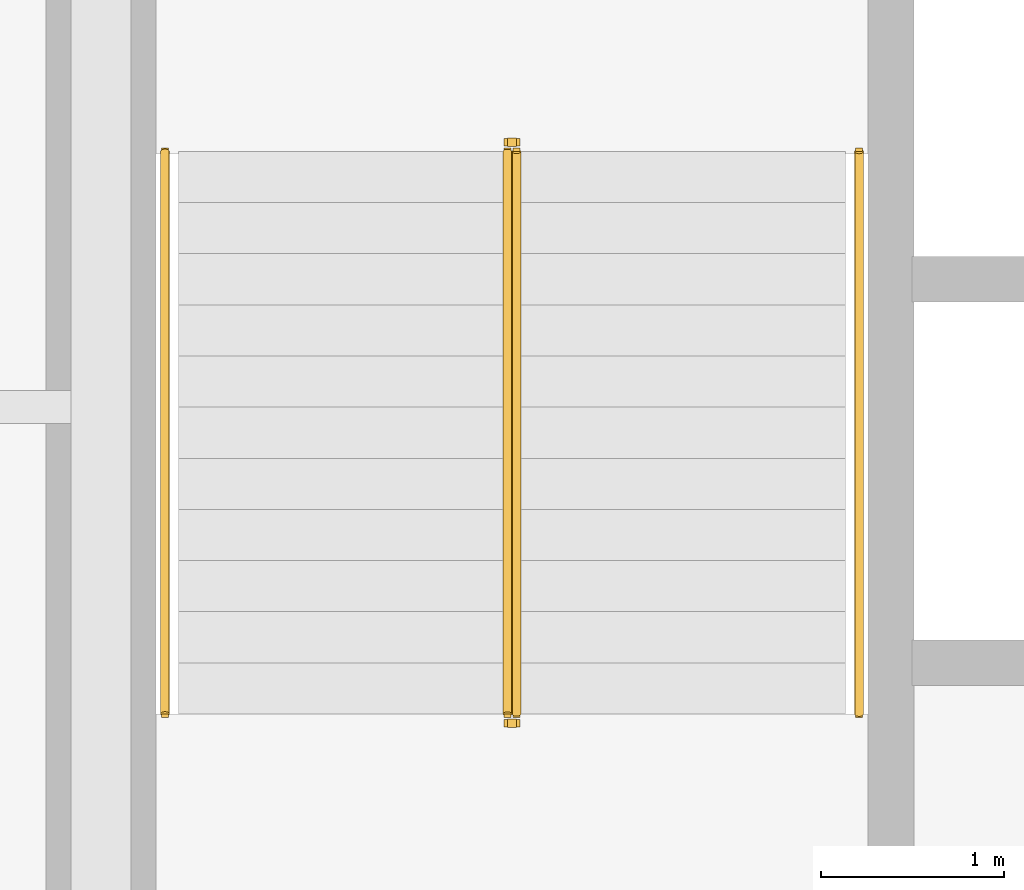
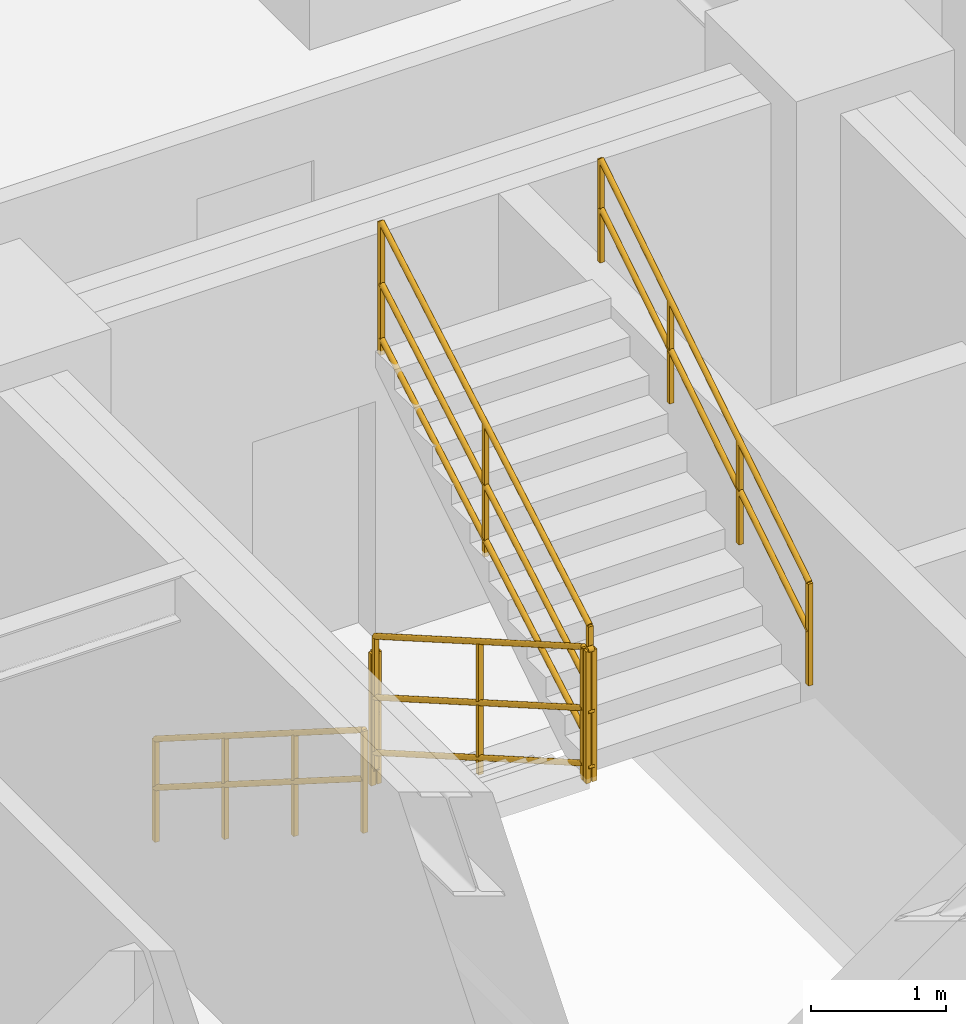
# One storey, part 9 of 9: 6 railings.
"""IFC4 building model written with IfcOpenShell, lengths in metres."""

import ifcopenshell
import ifcopenshell.guid

model = None  # the IFC model being written
_history = None  # IfcOwnerHistory: only IFC2X3 demands one
_inside = {}  # id of a spatial element -> (the spatial element, [elements in it])
_under = {}  # id of a project, library or spatial element -> (it, [spatial elements below it])
_declared = {}  # id of a project -> (the project, [libraries it declares])
_typed = {}  # id of a type object -> (the type object, [elements of that type])
_made_of = {}  # id of a material, layer set ... -> (it, [elements and type objects made of it])


def new_model(schema):
    """Start an empty IFC model of exactly this schema.

    Asked for "IFC4X3", IfcOpenShell would pick the latest addendum, in which some entities
    have other attributes; the version numbers below select the first issue.
    IFC2X3 requires an IfcOwnerHistory on every rooted entity: one is made here for all.
    """
    global model, _history
    if schema == "IFC4X3":
        model = ifcopenshell.file(schema_version=(4, 3, 0, 0))
    else:
        model = ifcopenshell.file(schema=schema)
    _inside.clear()
    _under.clear()
    _declared.clear()
    _typed.clear()
    _made_of.clear()
    _history = None
    if model.schema == "IFC2X3":
        org = make("IfcOrganization", Name="unknown")
        user = make(
            "IfcPersonAndOrganization",
            ThePerson=make("IfcPerson", FamilyName="unknown"),
            TheOrganization=org,
        )
        app = make(
            "IfcApplication",
            ApplicationDeveloper=org,
            Version="unknown",
            ApplicationFullName="unknown",
            ApplicationIdentifier="unknown",
        )
        _history = make(
            "IfcOwnerHistory",
            OwningUser=user,
            OwningApplication=app,
            ChangeAction="ADDED",
            CreationDate=0,
        )
    return model


def make(cls, **values):
    """One entity of the class cls with the attributes given. An attribute that is None is left unset."""
    return model.create_entity(
        cls, **{name: value for name, value in values.items() if value is not None}
    )


def entity(cls, *values):
    """Any entity or typed value of the class cls, its attributes in the order of the schema. None: left unset."""
    e = model.create_entity(cls)
    for i, value in enumerate(values):
        if value is not None:
            e[i] = value
    return e


def rooted(cls, **values):
    """An entity with a GlobalId (a new one), such as an element, a storey or a relation."""
    return make(cls, GlobalId=ifcopenshell.guid.new(), OwnerHistory=_history, **values)


def si_unit(unit_type, name, prefix=None):
    """IfcSIUnit, for example si_unit("LENGTHUNIT", "METRE", prefix="MILLI")."""
    return make("IfcSIUnit", UnitType=unit_type, Prefix=prefix, Name=name)


def converted_unit(unit_type, name, factor, base, dimensions=None, offset=None):
    """IfcConversionBasedUnit, such as the inch: factor (a typed value) times the base unit."""
    return make(
        "IfcConversionBasedUnit"
        if offset is None
        else "IfcConversionBasedUnitWithOffset",
        ConversionOffset=offset,
        Dimensions=None
        if dimensions is None
        else entity("IfcDimensionalExponents", *dimensions),
        UnitType=unit_type,
        Name=name,
        ConversionFactor=make(
            "IfcMeasureWithUnit", ValueComponent=factor, UnitComponent=base
        ),
    )


def assignment(units):
    """IfcUnitAssignment: the units of a project."""
    return None if units is None else make("IfcUnitAssignment", Units=units)


def point(xyz):
    """IfcCartesianPoint."""
    return None if xyz is None else make("IfcCartesianPoint", Coordinates=xyz)


def direction(xyz):
    """IfcDirection."""
    return None if xyz is None else make("IfcDirection", DirectionRatios=xyz)


def frame(location, z_axis=None, x_axis=None):
    """IfcAxis2Placement3D, a coordinate frame: its origin and axes. An axis left out is left unset."""
    return make(
        "IfcAxis2Placement3D",
        Location=point(location),
        Axis=direction(z_axis),
        RefDirection=direction(x_axis),
    )


def frame_2d(location, x_axis=None):
    """IfcAxis2Placement2D, a coordinate frame in the plane: its origin and x axis."""
    return make(
        "IfcAxis2Placement2D", Location=point(location), RefDirection=direction(x_axis)
    )


def origin_with_axes():
    """The frame at (0, 0, 0) with the z axis (0, 0, 1) and the x axis (1, 0, 0) written out."""
    return frame((0.0, 0.0, 0.0), z_axis=(0.0, 0.0, 1.0), x_axis=(1.0, 0.0, 0.0))


def origin_2d_with_axis():
    """The frame at (0, 0) in the plane with the x axis (1, 0) written out."""
    return frame_2d((0.0, 0.0), x_axis=(1.0, 0.0))


def place(relative_to, where):
    """IfcLocalPlacement: puts the frame where relative to a parent placement (None: the world)."""
    return make(
        "IfcLocalPlacement", PlacementRelTo=relative_to, RelativePlacement=where
    )


def context(
    kind, dimensions, precision=None, world=None, true_north=None, identifier=None
):
    """IfcGeometricRepresentationContext, for example the 3D "Model" context."""
    return make(
        "IfcGeometricRepresentationContext",
        ContextIdentifier=identifier,
        ContextType=kind,
        CoordinateSpaceDimension=dimensions,
        Precision=precision,
        WorldCoordinateSystem=world,
        TrueNorth=true_north,
    )


def subcontext(parent, identifier, kind, view, scale=None):
    """IfcGeometricRepresentationSubContext, for example "Body" below "Model"."""
    return make(
        "IfcGeometricRepresentationSubContext",
        ContextIdentifier=identifier,
        ContextType=kind,
        ParentContext=parent,
        TargetScale=scale,
        TargetView=view,
    )


def project(units=None, contexts=None):
    """IfcProject with its units and contexts."""
    return rooted(
        "IfcProject",
        Name="project",
        RepresentationContexts=contexts,
        UnitsInContext=assignment(units),
    )


def spatial(cls, under=None, at=None, **own):
    """A site, building, storey or space (cls), placed at a placement, below another one or the project."""
    s = rooted(cls, ObjectPlacement=at, **own)
    if under is not None:
        _under.setdefault(under.id(), (under, []))[1].append(s)
    return s


def profile(cls, at=None, kind="AREA", **sizes):
    """A parametric profile (cls). Its sizes go by their IFC names, for example OverallWidth=200.0."""
    return make(cls, ProfileType=kind, Position=at, **sizes)


def rectangle(**sizes):
    """IfcRectangleProfileDef."""
    return profile("IfcRectangleProfileDef", **sizes)


def circle(**sizes):
    """IfcCircleProfileDef."""
    return profile("IfcCircleProfileDef", **sizes)


def extrude(swept, where, along, depth):
    """IfcExtrudedAreaSolid: the profile swept, set in the frame where, extruded along a direction by depth."""
    return make(
        "IfcExtrudedAreaSolid",
        SweptArea=swept,
        Position=where,
        ExtrudedDirection=direction(along),
        Depth=depth,
    )


def shape(context_of_items, identifier, shape_type, items):
    """IfcShapeRepresentation: the items that make up one representation, for example the "Body"."""
    return make(
        "IfcShapeRepresentation",
        ContextOfItems=context_of_items,
        RepresentationIdentifier=identifier,
        RepresentationType=shape_type,
        Items=items,
    )


def material(Name=None, Category=None):
    """IfcMaterial."""
    return make("IfcMaterial", Name=Name, Category=Category)


def made_of(thing, what):
    """Note that an element or type object is made of a material, layer set ...; save() writes the relation."""
    if what is not None:
        _made_of.setdefault(what.id(), (what, []))[1].append(thing)
    return thing


def type_object(cls, material=None, **own):
    """A type object (cls), such as IfcWallType, which elements share."""
    return made_of(rooted(cls, **own), material)


def element(
    cls,
    number,
    at=None,
    inside=None,
    cuts=None,
    type_object=None,
    material=None,
    context=None,
    identifier="Body",
    shape_type=None,
    held_by="IfcProductDefinitionShape",
    body=None,
    shapes=None,
    **own,
):
    """One element of the class cls, such as IfcWall. Its Tag is "e" and its number.

    at: its placement. inside: the storey or other place that contains it. cuts: it is an
    opening in that element (IfcRelVoidsElement). A single representation is given by context,
    identifier, shape_type and body (its items); several are given by shapes. held_by: the class
    of the entity that holds the representations. save() writes the other relations.
    """
    e = rooted(cls, Tag="e%d" % number, ObjectPlacement=at, **own)
    if body is not None:
        shapes = [shape(context, identifier, shape_type, body)]
    if shapes is not None:
        e.Representation = make(held_by, Representations=shapes)
    if inside is not None:
        _inside.setdefault(inside.id(), (inside, []))[1].append(e)
    if cuts is not None:
        rooted(
            "IfcRelVoidsElement", RelatingBuildingElement=cuts, RelatedOpeningElement=e
        )
    if type_object is not None:
        _typed.setdefault(type_object.id(), (type_object, []))[1].append(e)
    return made_of(e, material)


def aggregate(whole, parts):
    """IfcRelAggregates: a whole, such as a stair, and the parts it consists of."""
    return rooted("IfcRelAggregates", RelatingObject=whole, RelatedObjects=parts)


def save(model, path):
    """Write the relations noted so far, then the file.

    IfcRelAggregates (storeys below a building ...), IfcRelContainedInSpatialStructure (elements
    in a storey), IfcRelDefinesByType, IfcRelAssociatesMaterial and IfcRelDeclares: one each for
    every whole, place, type object, material and project.
    """
    for whole, parts in _under.values():
        aggregate(whole, parts)
    for where, things in _inside.values():
        rooted(
            "IfcRelContainedInSpatialStructure",
            RelatedElements=things,
            RelatingStructure=where,
        )
    for kind, things in _typed.values():
        rooted("IfcRelDefinesByType", RelatedObjects=things, RelatingType=kind)
    for what, things in _made_of.values():
        rooted("IfcRelAssociatesMaterial", RelatedObjects=things, RelatingMaterial=what)
    for by, libraries in _declared.values():
        rooted("IfcRelDeclares", RelatingContext=by, RelatedDefinitions=libraries)
    model.write(path)


model = new_model("IFC4")

# Units and contexts
model_context = context("Model", 3, precision=1e-05, world=origin_with_axes(), true_north=direction((0.0, 1.0)))
body_context = subcontext(model_context, "Body", "Model", "MODEL_VIEW")
ifc_project = project(units=[si_unit("LENGTHUNIT", "METRE"), si_unit("AREAUNIT", "SQUARE_METRE"), si_unit("VOLUMEUNIT", "CUBIC_METRE"), converted_unit("PLANEANGLEUNIT", "DEGREE", entity("IfcPlaneAngleMeasure", 0.017453292519943295), si_unit("PLANEANGLEUNIT", "RADIAN"), dimensions=[0, 0, 0, 0, 0, 0, 0]), si_unit("MASSUNIT", "GRAM", prefix="KILO"), si_unit("THERMODYNAMICTEMPERATUREUNIT", "KELVIN")], contexts=[model_context])

# Site, building, storey
site_placement = place(None, origin_with_axes())
site = spatial("IfcSite", under=ifc_project, at=site_placement, CompositionType="ELEMENT")
building_placement = place(site_placement, origin_with_axes())
building = spatial("IfcBuilding", under=site, at=building_placement, Name="Varnlund Millrace Tower", CompositionType="ELEMENT")
storey_placement = place(building_placement, frame((0.0, 0.0, 36.6), z_axis=(0.0, 0.0, 1.0), x_axis=(1.0, 0.0, 0.0)))
storey = spatial("IfcBuildingStorey", under=building, at=storey_placement, Name="L08", CompositionType="ELEMENT", Elevation=36.6)

# Railings
ifc_material_1 = material(Name="Painted steel stair well balustrade guard", Category="steel")
railing_type_1 = type_object("IfcRailingType", Name="Type-StairGuard-1150", PredefinedType="GUARDRAIL", material=ifc_material_1)
railing_1_placement = place(storey_placement, frame((0.0, 0.0, -36.6), z_axis=(0.0, 0.0, 1.0), x_axis=(1.0, 0.0, 0.0)))
element("IfcRailing", 1, at=railing_1_placement, inside=storey, type_object=railing_type_1, Name="Type-StairGuard-1150", PredefinedType="GUARDRAIL", context=body_context, shape_type="SweptSolid", body=[
    extrude(circle(Radius=0.024, at=origin_2d_with_axis()), frame((13.625, 35.9, 37.927273), z_axis=(0.0, -0.866696, 0.498836), x_axis=(1.0, 0.0, 0.0)), (0.0, 0.0, 1.0), 3.553725),
    extrude(circle(Radius=0.024, at=origin_2d_with_axis()), frame((13.625, 35.9, 36.877273), z_axis=(0.0, -0.866696, 0.498836), x_axis=(1.0, 0.0, 0.0)), (0.0, 0.0, 1.0), 3.553725),
    extrude(circle(Radius=0.024, at=origin_2d_with_axis()), frame((13.625, 35.9, 37.375273), z_axis=(0.0, -0.866696, 0.498836), x_axis=(1.0, 0.0, 0.0)), (0.0, 0.0, 1.0), 3.553725),
    extrude(rectangle(XDim=0.04, YDim=0.04, at=origin_2d_with_axis()), frame((13.625, 35.9, 36.737273), z_axis=(0.0, 0.0, 1.0), x_axis=(1.0, 0.0, 0.0)), (0.0, 0.0, 1.0), 1.19),
    extrude(rectangle(XDim=0.04, YDim=0.04, at=origin_2d_with_axis()), frame((13.625, 34.36, 37.623636), z_axis=(0.0, 0.0, 1.0), x_axis=(1.0, 0.0, 0.0)), (0.0, 0.0, 1.0), 1.19),
    extrude(rectangle(XDim=0.04, YDim=0.04, at=origin_2d_with_axis()), frame((13.625, 32.82, 38.51), z_axis=(0.0, 0.0, 1.0), x_axis=(1.0, 0.0, 0.0)), (0.0, 0.0, 1.0), 1.19),
])
railing_2_placement = place(storey_placement, frame((0.0, 0.0, -36.6), z_axis=(0.0, 0.0, 1.0), x_axis=(1.0, 0.0, 0.0)))
element("IfcRailing", 2, at=railing_2_placement, inside=storey, type_object=railing_type_1, Name="Type-StairGuard-1150", PredefinedType="GUARDRAIL", context=body_context, shape_type="SweptSolid", body=[
    extrude(circle(Radius=0.024, at=origin_2d_with_axis()), frame((13.675, 32.77, 39.7), z_axis=(-1.0, 0.0, 0.0), x_axis=(0.0, -1.0, 0.0)), (0.0, 0.0, 1.0), 0.05),
    extrude(circle(Radius=0.024, at=origin_2d_with_axis()), frame((13.675, 32.77, 38.65), z_axis=(-1.0, 0.0, 0.0), x_axis=(0.0, -1.0, 0.0)), (0.0, 0.0, 1.0), 0.05),
    extrude(circle(Radius=0.024, at=origin_2d_with_axis()), frame((13.675, 32.77, 39.148), z_axis=(-1.0, 0.0, 0.0), x_axis=(0.0, -1.0, 0.0)), (0.0, 0.0, 1.0), 0.05),
    extrude(rectangle(XDim=0.04, YDim=0.04, at=origin_2d_with_axis()), frame((13.675, 32.77, 38.51), z_axis=(0.0, 0.0, 1.0), x_axis=(1.0, 0.0, 0.0)), (0.0, 0.0, 1.0), 1.19),
    extrude(rectangle(XDim=0.04, YDim=0.04, at=origin_2d_with_axis()), frame((13.625, 32.77, 38.51), z_axis=(0.0, 0.0, 1.0), x_axis=(1.0, 0.0, 0.0)), (0.0, 0.0, 1.0), 1.19),
])
railing_3_placement = place(storey_placement, frame((0.0, 0.0, -36.6), z_axis=(0.0, 0.0, 1.0), x_axis=(1.0, 0.0, 0.0)))
element("IfcRailing", 3, at=railing_3_placement, inside=storey, type_object=railing_type_1, Name="Type-StairGuard-1150", PredefinedType="GUARDRAIL", context=body_context, shape_type="SweptSolid", body=[
    extrude(circle(Radius=0.024, at=origin_2d_with_axis()), frame((13.675, 32.82, 39.877273), z_axis=(0.0, 0.866696, 0.498836), x_axis=(-1.0, 0.0, 0.0)), (0.0, 0.0, 1.0), 3.553725),
    extrude(circle(Radius=0.024, at=origin_2d_with_axis()), frame((13.675, 32.82, 38.827273), z_axis=(0.0, 0.866696, 0.498836), x_axis=(-1.0, 0.0, 0.0)), (0.0, 0.0, 1.0), 3.553725),
    extrude(circle(Radius=0.024, at=origin_2d_with_axis()), frame((13.675, 32.82, 39.325273), z_axis=(0.0, 0.866696, 0.498836), x_axis=(-1.0, 0.0, 0.0)), (0.0, 0.0, 1.0), 3.553725),
    extrude(rectangle(XDim=0.04, YDim=0.04, at=origin_2d_with_axis()), frame((13.675, 32.82, 38.687273), z_axis=(0.0, 0.0, 1.0), x_axis=(1.0, 0.0, 0.0)), (0.0, 0.0, 1.0), 1.19),
    extrude(rectangle(XDim=0.04, YDim=0.04, at=origin_2d_with_axis()), frame((13.675, 34.36, 39.573636), z_axis=(0.0, 0.0, 1.0), x_axis=(1.0, 0.0, 0.0)), (0.0, 0.0, 1.0), 1.19),
    extrude(rectangle(XDim=0.04, YDim=0.04, at=origin_2d_with_axis()), frame((13.675, 35.9, 40.46), z_axis=(0.0, 0.0, 1.0), x_axis=(1.0, 0.0, 0.0)), (0.0, 0.0, 1.0), 1.19),
])
railing_4_placement = place(storey_placement, frame((0.0, 0.0, -36.6), z_axis=(0.0, 0.0, 1.0), x_axis=(1.0, 0.0, 0.0)))
element("IfcRailing", 4, at=railing_4_placement, inside=storey, type_object=railing_type_1, Name="Type-StairGuard-1150", PredefinedType="GUARDRAIL", context=body_context, shape_type="SweptSolid", body=[
    extrude(circle(Radius=0.024, at=origin_2d_with_axis()), frame((13.675, 35.95, 37.75), z_axis=(-1.0, 0.0, 0.0), x_axis=(0.0, -1.0, 0.0)), (0.0, 0.0, 1.0), 0.05),
    extrude(circle(Radius=0.024, at=origin_2d_with_axis()), frame((13.675, 35.95, 36.7), z_axis=(-1.0, 0.0, 0.0), x_axis=(0.0, -1.0, 0.0)), (0.0, 0.0, 1.0), 0.05),
    extrude(circle(Radius=0.024, at=origin_2d_with_axis()), frame((13.675, 35.95, 37.198), z_axis=(-1.0, 0.0, 0.0), x_axis=(0.0, -1.0, 0.0)), (0.0, 0.0, 1.0), 0.05),
    extrude(rectangle(XDim=0.04, YDim=0.04, at=origin_2d_with_axis()), frame((13.675, 35.95, 36.56), z_axis=(0.0, 0.0, 1.0), x_axis=(1.0, 0.0, 0.0)), (0.0, 0.0, 1.0), 1.19),
    extrude(rectangle(XDim=0.04, YDim=0.04, at=origin_2d_with_axis()), frame((13.625, 35.95, 36.56), z_axis=(0.0, 0.0, 1.0), x_axis=(1.0, 0.0, 0.0)), (0.0, 0.0, 1.0), 1.19),
])
ifc_material_2 = material(Name="Brushed architectural bronze stair handrail", Category="aluminium")
railing_type_2 = type_object("IfcRailingType", Name="Type-StairHandrail-900", PredefinedType="HANDRAIL", material=ifc_material_2)
railing_5_placement = place(storey_placement, frame((0.0, 0.0, -36.6), z_axis=(0.0, 0.0, 1.0), x_axis=(1.0, 0.0, 0.0)))
element("IfcRailing", 5, at=railing_5_placement, inside=storey, type_object=railing_type_2, Name="Type-StairHandrail-900", PredefinedType="HANDRAIL", context=body_context, shape_type="SweptSolid", body=[
    extrude(circle(Radius=0.024, at=origin_2d_with_axis()), frame((11.75, 35.9, 37.656995), z_axis=(0.0, -0.844902, 0.534922), x_axis=(1.0, 0.0, 0.0)), (0.0, 0.0, 1.0), 3.645394),
    extrude(circle(Radius=0.024, at=origin_2d_with_axis()), frame((11.75, 35.9, 37.217134), z_axis=(0.0, -0.844902, 0.534922), x_axis=(1.0, 0.0, 0.0)), (0.0, 0.0, 1.0), 3.645394),
    extrude(rectangle(XDim=0.04, YDim=0.04, at=origin_2d_with_axis()), frame((11.75, 35.9, 36.737273), z_axis=(0.0, 0.0, 1.0), x_axis=(1.0, 0.0, 0.0)), (0.0, 0.0, 1.0), 0.919722),
    extrude(rectangle(XDim=0.04, YDim=0.04, at=origin_2d_with_axis()), frame((11.75, 34.873333, 37.387273), z_axis=(0.0, 0.0, 1.0), x_axis=(1.0, 0.0, 0.0)), (0.0, 0.0, 1.0), 0.919722),
    extrude(rectangle(XDim=0.04, YDim=0.04, at=origin_2d_with_axis()), frame((11.75, 33.846667, 38.037273), z_axis=(0.0, 0.0, 1.0), x_axis=(1.0, 0.0, 0.0)), (0.0, 0.0, 1.0), 0.919722),
    extrude(rectangle(XDim=0.04, YDim=0.04, at=origin_2d_with_axis()), frame((11.75, 32.82, 38.687273), z_axis=(0.0, 0.0, 1.0), x_axis=(1.0, 0.0, 0.0)), (0.0, 0.0, 1.0), 0.919722),
])
railing_6_placement = place(storey_placement, frame((0.0, 0.0, -36.6), z_axis=(0.0, 0.0, 1.0), x_axis=(1.0, 0.0, 0.0)))
element("IfcRailing", 6, at=railing_6_placement, inside=storey, type_object=railing_type_2, Name="Type-StairHandrail-900", PredefinedType="HANDRAIL", context=body_context, shape_type="SweptSolid", body=[
    extrude(circle(Radius=0.024, at=origin_2d_with_axis()), frame((15.55, 32.82, 39.606995), z_axis=(0.0, 0.844902, 0.534922), x_axis=(-1.0, 0.0, 0.0)), (0.0, 0.0, 1.0), 3.645394),
    extrude(circle(Radius=0.024, at=origin_2d_with_axis()), frame((15.55, 32.82, 39.167134), z_axis=(0.0, 0.844902, 0.534922), x_axis=(-1.0, 0.0, 0.0)), (0.0, 0.0, 1.0), 3.645394),
    extrude(rectangle(XDim=0.04, YDim=0.04, at=origin_2d_with_axis()), frame((15.55, 32.82, 38.687273), z_axis=(0.0, 0.0, 1.0), x_axis=(1.0, 0.0, 0.0)), (0.0, 0.0, 1.0), 0.919722),
    extrude(rectangle(XDim=0.04, YDim=0.04, at=origin_2d_with_axis()), frame((15.55, 33.846667, 39.337273), z_axis=(0.0, 0.0, 1.0), x_axis=(1.0, 0.0, 0.0)), (0.0, 0.0, 1.0), 0.919722),
    extrude(rectangle(XDim=0.04, YDim=0.04, at=origin_2d_with_axis()), frame((15.55, 34.873333, 39.987273), z_axis=(0.0, 0.0, 1.0), x_axis=(1.0, 0.0, 0.0)), (0.0, 0.0, 1.0), 0.919722),
    extrude(rectangle(XDim=0.04, YDim=0.04, at=origin_2d_with_axis()), frame((15.55, 35.9, 40.637273), z_axis=(0.0, 0.0, 1.0), x_axis=(1.0, 0.0, 0.0)), (0.0, 0.0, 1.0), 0.919722),
])

save(model, "model.ifc")
